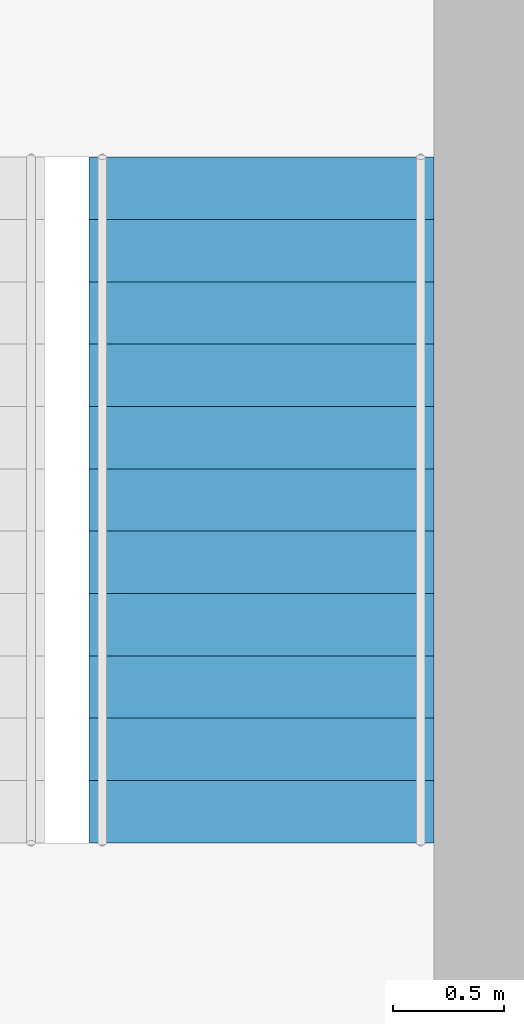
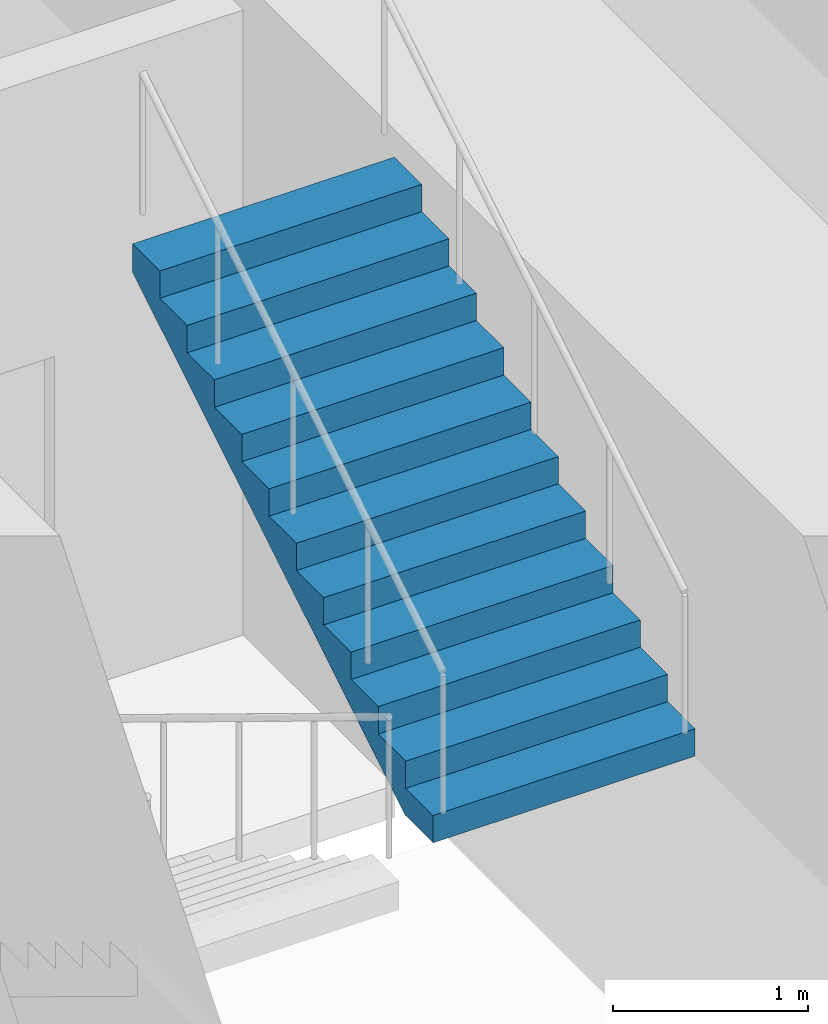
# One storey, part 12 of 14: 1 stair flight, 1 element without a shape of its own.
"""IFC4 building model written with IfcOpenShell, lengths in metres."""

from ifc_helpers import new_model, si_unit, direction, frame, origin, place, context, subcontext, project, spatial, polyline, outline, extrude, material, type_object, element, aggregate, save


model = new_model("IFC4")

# Units and contexts
model_context = context("Model", 3, precision=1e-05, world=origin(), true_north=direction((0.0, 1.0)))
body_context = subcontext(model_context, "Body", "Model", "MODEL_VIEW")
ifc_project = project(units=[si_unit("LENGTHUNIT", "METRE"), si_unit("AREAUNIT", "SQUARE_METRE"), si_unit("VOLUMEUNIT", "CUBIC_METRE"), si_unit("PLANEANGLEUNIT", "RADIAN"), si_unit("MASSUNIT", "GRAM", prefix="KILO")], contexts=[model_context])

# Site, building, storey
site_placement = place(None, origin())
site = spatial("IfcSite", under=ifc_project, at=site_placement, CompositionType="ELEMENT")
building_placement = place(site_placement, origin())
building = spatial("IfcBuilding", under=site, at=building_placement, Name="Trevanion Tower", CompositionType="ELEMENT")
storey_placement = place(building_placement, frame((0.0, 0.0, 104.89990234375)))
storey = spatial("IfcBuildingStorey", under=building, at=storey_placement, Name="L24", CompositionType="ELEMENT", Elevation=104.89990234375)

# Stair, stair flight
ifc_material_1 = material(Name="Concrete 5,000 psi on steel stringers", Category="concrete")
stair_type = type_object("IfcStairType", Name="ST stair", PredefinedType="HALF_TURN_STAIR", material=ifc_material_1)
stair_placement = place(storey_placement, origin())
stair = element("IfcStair", 1, at=stair_placement, inside=storey, type_object=stair_type, Name="ST1 L24", PredefinedType="HALF_TURN_STAIR")
ifc_material_2 = material(Name="Concrete 5,000 psi in steel pan", Category="concrete")
stair_flight_type = type_object("IfcStairFlightType", Name="STF stair flight", PredefinedType="STRAIGHT", material=ifc_material_2)
stair_flight_placement = place(storey_placement, frame((9.47509765625, -1.554931640625, 2.050048828125), z_axis=(0.0, 0.0, 1.0), x_axis=(0.0, 1.0, 0.0)))
stair_flight = element("IfcStairFlight", 2, at=stair_flight_placement, type_object=stair_flight_type, Name="ST1 flight 2", NumberOfRisers=12, NumberOfTreads=11, PredefinedType="STRAIGHT", RiserHeight=0.170833333, TreadLength=0.28, context=body_context, shape_type="SweptSolid", body=[
    extrude(outline(polyline([(0.0, 0.0), (0.0, 0.1708984375), (0.280029296875, 0.1708984375), (0.280029296875, 0.341552734375), (0.56005859375, 0.341552734375), (0.56005859375, 0.512451171875), (0.840087890625, 0.512451171875), (0.840087890625, 0.683349609375), (1.1201171875, 0.683349609375), (1.1201171875, 0.854248046875), (1.39990234375, 0.854248046875), (1.39990234375, 1.02490234375), (1.679931640625, 1.02490234375), (1.679931640625, 1.19580078125), (1.9599609375, 1.19580078125), (1.9599609375, 1.36669921875), (2.239990234375, 1.36669921875), (2.239990234375, 1.53759765625), (2.52001953125, 1.53759765625), (2.52001953125, 1.708251953125), (2.800048828125, 1.708251953125), (2.800048828125, 1.879150390625), (3.080078125, 1.879150390625), (3.080078125, 2.050048828125), (3.080078125, 1.70361328125), (0.287841796875, 0.0), (0.0, 0.0)])), frame((0.0, 0.77490234375, 0.0), z_axis=(0.0, -1.0, 0.0), x_axis=(1.0, 0.0, 0.0)), (0.0, 0.0, 1.0), 1.550048828125),
])
aggregate(stair, [stair_flight])

save(model, "model.ifc")
